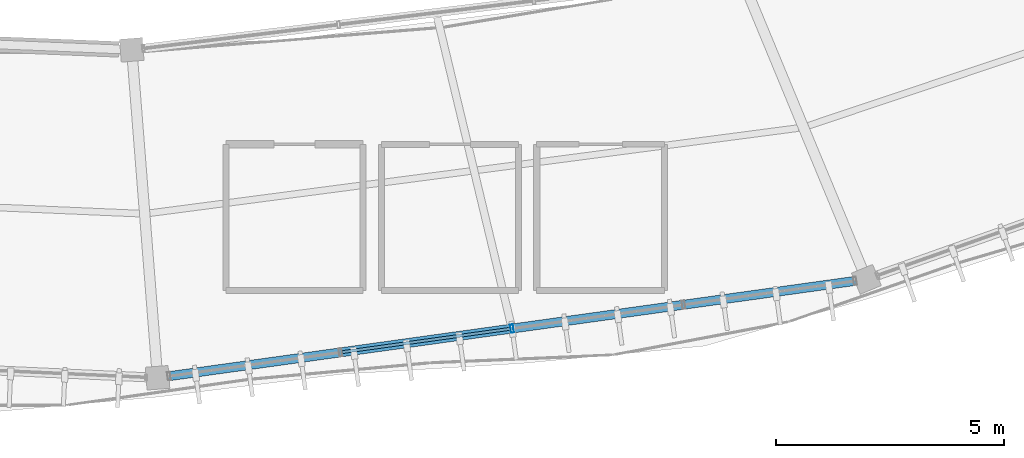
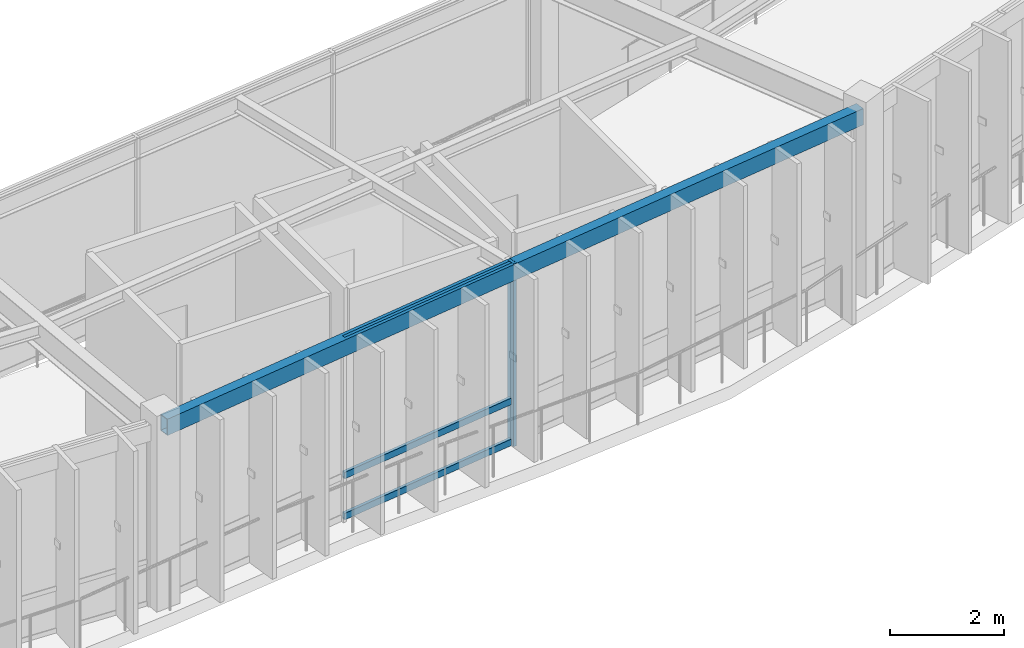
# One storey, part 19 of 78: 4 members, 1 beam, 1 element without a shape of its own.
"""IFC4 building model written with IfcOpenShell, lengths in metres."""

from ifc_helpers import new_model, si_unit, direction, frame, origin, origin_2d, place, context, subcontext, project, spatial, hollow_rectangle, extrude, material, material_profile, profile_set, type_object, element, aggregate, save


model = new_model("IFC4")

# Units and contexts
model_context = context("Model", 3, precision=1e-05, world=origin(), true_north=direction((0.0, 1.0)))
body_context = subcontext(model_context, "Body", "Model", "MODEL_VIEW")
ifc_project = project(units=[si_unit("LENGTHUNIT", "METRE"), si_unit("AREAUNIT", "SQUARE_METRE"), si_unit("VOLUMEUNIT", "CUBIC_METRE"), si_unit("PLANEANGLEUNIT", "RADIAN"), si_unit("MASSUNIT", "GRAM", prefix="KILO"), si_unit("THERMODYNAMICTEMPERATUREUNIT", "KELVIN"), si_unit("POWERUNIT", "WATT")], contexts=[model_context])

# Site, building, storey
site_placement = place(None, origin())
site = spatial("IfcSite", under=ifc_project, at=site_placement, CompositionType="ELEMENT")
building_placement = place(site_placement, origin())
building = spatial("IfcBuilding", under=site, at=building_placement, Name="Darbajah Civic Hall", CompositionType="ELEMENT")
storey_placement = place(building_placement, frame((0.0, 0.0, 26.39990234375)))
storey = spatial("IfcBuildingStorey", under=building, at=storey_placement, Name="L06", CompositionType="ELEMENT", Elevation=26.39990234375)

# Curtain wall, members
ifc_material_1 = material(Name="Anodised Bronze Aluminium and Low-E Glazing", Category="aluminium")
curtain_wall_type = type_object("IfcCurtainWallType", Name="Unitised Curtain Wall CW-91 15200x3900", PredefinedType="USERDEFINED", material=ifc_material_1)
curtain_wall_placement = place(storey_placement, origin())
curtain_wall = element("IfcCurtainWall", 1, at=curtain_wall_placement, inside=storey, type_object=curtain_wall_type, Name="L06 unitised curtain wall CW-V1O-L06-15", ObjectType="UNITISED CURTAIN WALL", PredefinedType="USERDEFINED")
ifc_material_2 = material(Name="Anodised Bronze Aluminium", Category="aluminium")
ifc_material_profile_1 = material_profile(ifc_material_2, hollow_rectangle(XDim=0.06494140625, YDim=0.179931640625, WallThickness=0.00390625, at=origin_2d()), Name="ALU MULLION 65x180")
ifc_profile_set_1 = profile_set([ifc_material_profile_1], Name="Anodised Bronze Aluminium")
member_type_1 = type_object("IfcMemberType", Name="ALU MULLION 65x180", PredefinedType="MULLION", material=ifc_profile_set_1)
member_1_placement = place(storey_placement, frame((100.859130859375, 61.46826171875, 0.0), z_axis=(0.0, 0.0, 1.0), x_axis=(0.990485459553, 0.137617420457, 0.0)))
member_1 = element("IfcMember", 2, at=member_1_placement, type_object=member_type_1, Name="CW-V1O-L06-15 mullion 3", PredefinedType="MULLION", context=body_context, shape_type="SweptSolid", body=[
    extrude(hollow_rectangle(XDim=0.06494140625, YDim=0.179931640625, WallThickness=0.00390625, at=origin_2d()), origin(), (0.0, 0.0, 1.0), 3.920166015625),
])
ifc_material_profile_2 = material_profile(ifc_material_2, hollow_rectangle(XDim=0.06494140625, YDim=0.139892578125, WallThickness=0.00341796875, at=origin_2d()), Name="ALU TRANSOM 65x140")
ifc_profile_set_2 = profile_set([ifc_material_profile_2], Name="Anodised Bronze Aluminium")
member_type_2 = type_object("IfcMemberType", Name="ALU TRANSOM 65x140", PredefinedType="USERDEFINED", material=ifc_profile_set_2)
member_2_placement = place(storey_placement, frame((97.14208984375, 60.9521484375, 0.070068359375), z_axis=(0.990496501045, 0.1375379272, 0.0), x_axis=(-0.1375379272, 0.990496501045, 0.0)))
member_2 = element("IfcMember", 3, at=member_2_placement, type_object=member_type_2, Name="CW-V1O-L06-15 transom 2.1", ObjectType="TRANSOM", PredefinedType="USERDEFINED", context=body_context, shape_type="SweptSolid", body=[
    extrude(hollow_rectangle(XDim=0.06494140625, YDim=0.139892578125, WallThickness=0.00341796875, at=origin_2d()), origin(), (0.0, 0.0, 1.0), 3.71533203125),
])
member_3_placement = place(storey_placement, frame((97.14208984375, 60.9521484375, 0.9501953125), z_axis=(0.990496501045, 0.1375379272, 0.0), x_axis=(-0.1375379272, 0.990496501045, 0.0)))
member_3 = element("IfcMember", 4, at=member_3_placement, type_object=member_type_2, Name="CW-V1O-L06-15 transom 2.2", ObjectType="TRANSOM", PredefinedType="USERDEFINED", context=body_context, shape_type="SweptSolid", body=[
    extrude(hollow_rectangle(XDim=0.06494140625, YDim=0.139892578125, WallThickness=0.00341796875, at=origin_2d()), origin(), (0.0, 0.0, 1.0), 3.71533203125),
])
member_4_placement = place(storey_placement, frame((97.14208984375, 60.9521484375, 3.85009765625), z_axis=(0.990496501045, 0.1375379272, 0.0), x_axis=(-0.1375379272, 0.990496501045, 0.0)))
member_4 = element("IfcMember", 5, at=member_4_placement, type_object=member_type_2, Name="CW-V1O-L06-15 transom 2.3", ObjectType="TRANSOM", PredefinedType="USERDEFINED", context=body_context, shape_type="SweptSolid", body=[
    extrude(hollow_rectangle(XDim=0.06494140625, YDim=0.139892578125, WallThickness=0.00341796875, at=origin_2d()), origin(), (0.0, 0.0, 1.0), 3.71533203125),
])
aggregate(curtain_wall, [member_1, member_2, member_3, member_4])

# Beam
ifc_material_3 = material(Name="Steel S355JR", Category="steel")
ifc_material_profile_3 = material_profile(ifc_material_3, hollow_rectangle(XDim=0.199951171875, YDim=0.35009765625, WallThickness=0.012451171875, at=origin_2d()), Name="RHS 350x200x12.5")
ifc_profile_set_3 = profile_set([ifc_material_profile_3], Name="Steel S355JR")
beam_type = type_object("IfcBeamType", Name="RHS 350x200x12.5", PredefinedType="SPANDREL", material=ifc_profile_set_3)
beam_placement = place(storey_placement, frame((93.1806640625, 60.40185546875, 3.7451171875), z_axis=(0.990493107575, 0.137562363482, 0.0), x_axis=(-0.137562363482, 0.990493107575, 0.0)))
element("IfcBeam", 6, at=beam_placement, inside=storey, type_object=beam_type, Name="L06 beam SP-RHS350", PredefinedType="SPANDREL", context=body_context, shape_type="SweptSolid", body=[
    extrude(hollow_rectangle(XDim=0.199951171875, YDim=0.35009765625, WallThickness=0.012451171875, at=origin_2d()), origin(), (0.0, 0.0, 1.0), 15.50439453125),
])

save(model, "model.ifc")
